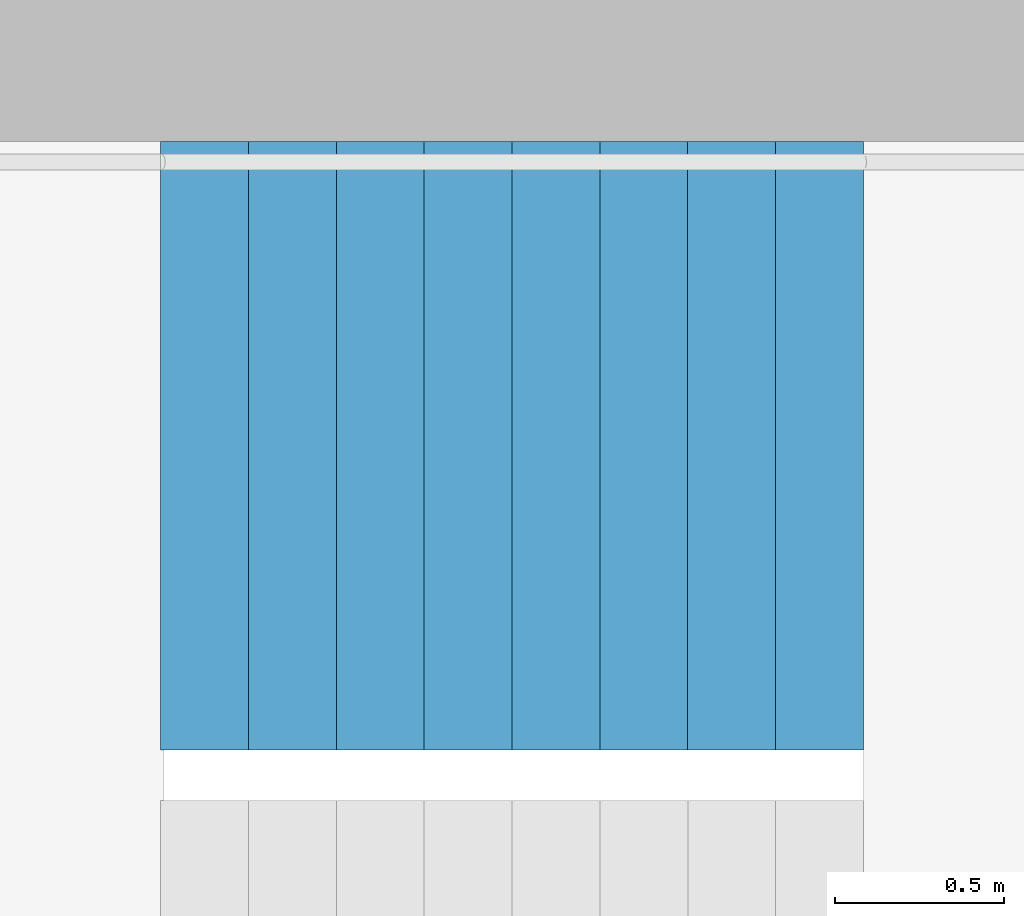
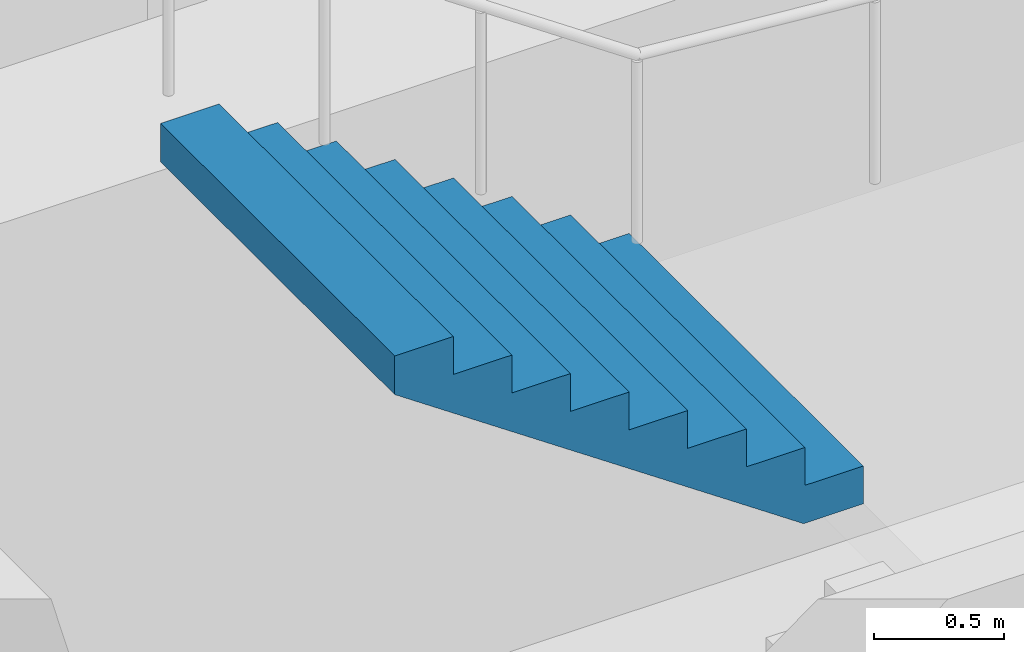
# One storey, part 24 of 29: 1 stair flight, 1 element without a shape of its own.
"""IFC4 building model written with IfcOpenShell, lengths in metres."""

from ifc_helpers import new_model, si_unit, direction, frame, origin, place, context, subcontext, project, spatial, triangles, material, type_object, element, aggregate, save


model = new_model("IFC4")

# Units and contexts
model_context = context("Model", 3, precision=1e-05, world=origin(), true_north=direction((0.0, 1.0)))
body_context = subcontext(model_context, "Body", "Model", "MODEL_VIEW")
ifc_project = project(units=[si_unit("LENGTHUNIT", "METRE"), si_unit("AREAUNIT", "SQUARE_METRE"), si_unit("VOLUMEUNIT", "CUBIC_METRE"), si_unit("PLANEANGLEUNIT", "RADIAN"), si_unit("MASSUNIT", "GRAM", prefix="KILO")], contexts=[model_context])

# Site, building, storey
site_placement = place(None, origin())
site = spatial("IfcSite", under=ifc_project, at=site_placement, CompositionType="ELEMENT")
building_placement = place(site_placement, origin())
building = spatial("IfcBuilding", under=site, at=building_placement, Name="Hakoniwa Tower and Hamabe Station Hall", CompositionType="ELEMENT")
storey_placement = place(building_placement, frame((0.0, 0.0, 97.800048828125)))
storey = spatial("IfcBuildingStorey", under=building, at=storey_placement, Name="L27", CompositionType="ELEMENT", Elevation=97.800048828125)

# Stair, stair flight
ifc_material_1 = material(Name="Concrete C40", Category="concrete")
stair_type = type_object("IfcStairType", Name="ESCAPE STAIR 1800", PredefinedType="HALF_TURN_STAIR", material=ifc_material_1)
stair_placement = place(storey_placement, origin())
stair = element("IfcStair", 1, at=stair_placement, inside=storey, type_object=stair_type, Name="Escape stair ST-1 L27", PredefinedType="HALF_TURN_STAIR")
ifc_material_2 = material(Name="Concrete C40", Category="concrete")
stair_flight_type = type_object("IfcStairFlightType", Name="STAIR FLIGHT 1800", PredefinedType="STRAIGHT", material=ifc_material_2)
stair_flight_placement = place(storey_placement, frame((-22.320068359375, 6.60009765625, 1.599853515625), z_axis=(0.0, 0.0, 1.0), x_axis=(-1.0, 0.0, 0.0)))
stair_flight = element("IfcStairFlight", 2, at=stair_flight_placement, type_object=stair_flight_type, Name="ST-1 flight 2", NumberOfRisers=9, NumberOfTreads=8, PredefinedType="STRAIGHT", RiserHeight=0.177777778, TreadLength=0.26, context=body_context, shape_type="Tessellation", body=[
    triangles([(0.0, 0.89990234375, 0.0), (0.260009765625, 0.89990234375, 0.0), (0.265625, 0.89990234375, 0.0), (0.52001953125, 0.89990234375, 0.174072265625), (0.780029296875, 0.89990234375, 0.351806640625), (1.0400390625, 0.89990234375, 0.529541015625), (1.300048828125, 0.89990234375, 0.707275390625), (1.56005859375, 0.89990234375, 0.885009765625), (1.820068359375, 0.89990234375, 1.062744140625), (2.080078125, 0.89990234375, 1.24072265625), (2.080078125, 0.89990234375, 1.422119140625), (1.820068359375, 0.89990234375, 1.422119140625), (1.820068359375, 0.89990234375, 1.244384765625), (1.56005859375, 0.89990234375, 1.244384765625), (1.56005859375, 0.89990234375, 1.066650390625), (1.300048828125, 0.89990234375, 1.066650390625), (1.300048828125, 0.89990234375, 0.888916015625), (1.0400390625, 0.89990234375, 0.888916015625), (1.0400390625, 0.89990234375, 0.711181640625), (0.780029296875, 0.89990234375, 0.711181640625), (0.780029296875, 0.89990234375, 0.533447265625), (0.52001953125, 0.89990234375, 0.533447265625), (0.52001953125, 0.89990234375, 0.35546875), (0.265625, 0.89990234375, 0.35546875), (0.260009765625, 0.89990234375, 0.35546875), (0.260009765625, 0.89990234375, 0.177734375), (0.0, 0.89990234375, 0.177734375), (0.0, 0.06005859375, 0.0), (0.260009765625, 0.06005859375, 0.0), (0.265625, 0.06005859375, 0.0), (0.52001953125, 0.06005859375, 0.174072265625), (0.780029296875, 0.06005859375, 0.351806640625), (1.0400390625, 0.06005859375, 0.529541015625), (1.300048828125, 0.06005859375, 0.707275390625), (1.56005859375, 0.06005859375, 0.885009765625), (1.820068359375, 0.06005859375, 1.062744140625), (2.080078125, 0.06005859375, 1.24072265625), (2.080078125, 0.06005859375, 1.422119140625), (1.820068359375, 0.06005859375, 1.422119140625), (1.820068359375, 0.06005859375, 1.244384765625), (1.56005859375, 0.06005859375, 1.244384765625), (1.56005859375, 0.06005859375, 1.066650390625), (1.300048828125, 0.06005859375, 1.066650390625), (1.300048828125, 0.06005859375, 0.888916015625), (1.0400390625, 0.06005859375, 0.888916015625), (1.0400390625, 0.06005859375, 0.711181640625), (0.780029296875, 0.06005859375, 0.711181640625), (0.780029296875, 0.06005859375, 0.533447265625), (0.52001953125, 0.06005859375, 0.533447265625), (0.52001953125, 0.06005859375, 0.35546875), (0.265625, 0.06005859375, 0.35546875), (0.260009765625, 0.06005859375, 0.35546875), (0.260009765625, 0.06005859375, 0.177734375), (0.0, 0.06005859375, 0.177734375), (0.0, 0.04296875, 0.0), (0.260009765625, 0.04296875, 0.0), (0.265625, 0.04296875, 0.0), (0.52001953125, 0.04296875, 0.174072265625), (0.780029296875, 0.04296875, 0.351806640625), (1.0400390625, 0.04296875, 0.529541015625), (1.300048828125, 0.04296875, 0.707275390625), (1.56005859375, 0.04296875, 0.885009765625), (1.820068359375, 0.04296875, 1.062744140625), (2.080078125, 0.04296875, 1.24072265625), (2.080078125, 0.04296875, 1.422119140625), (1.820068359375, 0.04296875, 1.422119140625), (1.820068359375, 0.04296875, 1.244384765625), (1.56005859375, 0.04296875, 1.244384765625), (1.56005859375, 0.04296875, 1.066650390625), (1.300048828125, 0.04296875, 1.066650390625), (1.300048828125, 0.04296875, 0.888916015625), (1.0400390625, 0.04296875, 0.888916015625), (1.0400390625, 0.04296875, 0.711181640625), (0.780029296875, 0.04296875, 0.711181640625), (0.780029296875, 0.04296875, 0.533447265625), (0.52001953125, 0.04296875, 0.533447265625), (0.52001953125, 0.04296875, 0.35546875), (0.265625, 0.04296875, 0.35546875), (0.260009765625, 0.04296875, 0.35546875), (0.260009765625, 0.04296875, 0.177734375), (0.0, 0.04296875, 0.177734375), (0.0, 0.025634765625, 0.0), (0.260009765625, 0.025634765625, 0.0), (0.265625, 0.025634765625, 0.0), (0.52001953125, 0.025634765625, 0.174072265625), (0.780029296875, 0.025634765625, 0.351806640625), (1.0400390625, 0.025634765625, 0.529541015625), (1.300048828125, 0.025634765625, 0.707275390625), (1.56005859375, 0.025634765625, 0.885009765625), (1.820068359375, 0.025634765625, 1.062744140625), (2.080078125, 0.025634765625, 1.24072265625), (2.080078125, 0.025634765625, 1.422119140625), (1.820068359375, 0.025634765625, 1.422119140625), (1.820068359375, 0.025634765625, 1.244384765625), (1.56005859375, 0.025634765625, 1.244384765625), (1.56005859375, 0.025634765625, 1.066650390625), (1.300048828125, 0.025634765625, 1.066650390625), (1.300048828125, 0.025634765625, 0.888916015625), (1.0400390625, 0.025634765625, 0.888916015625), (1.0400390625, 0.025634765625, 0.711181640625), (0.780029296875, 0.025634765625, 0.711181640625), (0.780029296875, 0.025634765625, 0.533447265625), (0.52001953125, 0.025634765625, 0.533447265625), (0.52001953125, 0.025634765625, 0.35546875), (0.265625, 0.025634765625, 0.35546875), (0.260009765625, 0.025634765625, 0.35546875), (0.260009765625, 0.025634765625, 0.177734375), (0.0, 0.025634765625, 0.177734375), (0.0, 0.008544921875, 0.0), (0.260009765625, 0.008544921875, 0.0), (0.265625, 0.008544921875, 0.0), (0.52001953125, 0.008544921875, 0.174072265625), (0.780029296875, 0.008544921875, 0.351806640625), (1.0400390625, 0.008544921875, 0.529541015625), (1.300048828125, 0.008544921875, 0.707275390625), (1.56005859375, 0.008544921875, 0.885009765625), (1.820068359375, 0.008544921875, 1.062744140625), (2.080078125, 0.008544921875, 1.24072265625), (2.080078125, 0.008544921875, 1.422119140625), (1.820068359375, 0.008544921875, 1.422119140625), (1.820068359375, 0.008544921875, 1.244384765625), (1.56005859375, 0.008544921875, 1.244384765625), (1.56005859375, 0.008544921875, 1.066650390625), (1.300048828125, 0.008544921875, 1.066650390625), (1.300048828125, 0.008544921875, 0.888916015625), (1.0400390625, 0.008544921875, 0.888916015625), (1.0400390625, 0.008544921875, 0.711181640625), (0.780029296875, 0.008544921875, 0.711181640625), (0.780029296875, 0.008544921875, 0.533447265625), (0.52001953125, 0.008544921875, 0.533447265625), (0.52001953125, 0.008544921875, 0.35546875), (0.265625, 0.008544921875, 0.35546875), (0.260009765625, 0.008544921875, 0.35546875), (0.260009765625, 0.008544921875, 0.177734375), (0.0, 0.008544921875, 0.177734375), (0.0, -0.008544921875, 0.0), (0.260009765625, -0.008544921875, 0.0), (0.265625, -0.008544921875, 0.0), (0.52001953125, -0.008544921875, 0.174072265625), (0.780029296875, -0.008544921875, 0.351806640625), (1.0400390625, -0.008544921875, 0.529541015625), (1.300048828125, -0.008544921875, 0.707275390625), (1.56005859375, -0.008544921875, 0.885009765625), (1.820068359375, -0.008544921875, 1.062744140625), (2.080078125, -0.008544921875, 1.24072265625), (2.080078125, -0.008544921875, 1.422119140625), (1.820068359375, -0.008544921875, 1.422119140625), (1.820068359375, -0.008544921875, 1.244384765625), (1.56005859375, -0.008544921875, 1.244384765625), (1.56005859375, -0.008544921875, 1.066650390625), (1.300048828125, -0.008544921875, 1.066650390625), (1.300048828125, -0.008544921875, 0.888916015625), (1.0400390625, -0.008544921875, 0.888916015625), (1.0400390625, -0.008544921875, 0.711181640625), (0.780029296875, -0.008544921875, 0.711181640625), (0.780029296875, -0.008544921875, 0.533447265625), (0.52001953125, -0.008544921875, 0.533447265625), (0.52001953125, -0.008544921875, 0.35546875), (0.265625, -0.008544921875, 0.35546875), (0.260009765625, -0.008544921875, 0.35546875), (0.260009765625, -0.008544921875, 0.177734375), (0.0, -0.008544921875, 0.177734375), (0.0, -0.025634765625, 0.0), (0.260009765625, -0.025634765625, 0.0), (0.265625, -0.025634765625, 0.0), (0.52001953125, -0.025634765625, 0.174072265625), (0.780029296875, -0.025634765625, 0.351806640625), (1.0400390625, -0.025634765625, 0.529541015625), (1.300048828125, -0.025634765625, 0.707275390625), (1.56005859375, -0.025634765625, 0.885009765625), (1.820068359375, -0.025634765625, 1.062744140625), (2.080078125, -0.025634765625, 1.24072265625), (2.080078125, -0.025634765625, 1.422119140625), (1.820068359375, -0.025634765625, 1.422119140625), (1.820068359375, -0.025634765625, 1.244384765625), (1.56005859375, -0.025634765625, 1.244384765625), (1.56005859375, -0.025634765625, 1.066650390625), (1.300048828125, -0.025634765625, 1.066650390625), (1.300048828125, -0.025634765625, 0.888916015625), (1.0400390625, -0.025634765625, 0.888916015625), (1.0400390625, -0.025634765625, 0.711181640625), (0.780029296875, -0.025634765625, 0.711181640625), (0.780029296875, -0.025634765625, 0.533447265625), (0.52001953125, -0.025634765625, 0.533447265625), (0.52001953125, -0.025634765625, 0.35546875), (0.265625, -0.025634765625, 0.35546875), (0.260009765625, -0.025634765625, 0.35546875), (0.260009765625, -0.025634765625, 0.177734375), (0.0, -0.025634765625, 0.177734375), (0.0, -0.04296875, 0.0), (0.260009765625, -0.04296875, 0.0), (0.265625, -0.04296875, 0.0), (0.52001953125, -0.04296875, 0.174072265625), (0.780029296875, -0.04296875, 0.351806640625), (1.0400390625, -0.04296875, 0.529541015625), (1.300048828125, -0.04296875, 0.707275390625), (1.56005859375, -0.04296875, 0.885009765625), (1.820068359375, -0.04296875, 1.062744140625), (2.080078125, -0.04296875, 1.24072265625), (2.080078125, -0.04296875, 1.422119140625), (1.820068359375, -0.04296875, 1.422119140625), (1.820068359375, -0.04296875, 1.244384765625), (1.56005859375, -0.04296875, 1.244384765625), (1.56005859375, -0.04296875, 1.066650390625), (1.300048828125, -0.04296875, 1.066650390625), (1.300048828125, -0.04296875, 0.888916015625), (1.0400390625, -0.04296875, 0.888916015625), (1.0400390625, -0.04296875, 0.711181640625), (0.780029296875, -0.04296875, 0.711181640625), (0.780029296875, -0.04296875, 0.533447265625), (0.52001953125, -0.04296875, 0.533447265625), (0.52001953125, -0.04296875, 0.35546875), (0.265625, -0.04296875, 0.35546875), (0.260009765625, -0.04296875, 0.35546875), (0.260009765625, -0.04296875, 0.177734375), (0.0, -0.04296875, 0.177734375), (0.0, -0.06005859375, 0.0), (0.260009765625, -0.06005859375, 0.0), (0.265625, -0.06005859375, 0.0), (0.52001953125, -0.06005859375, 0.174072265625), (0.780029296875, -0.06005859375, 0.351806640625), (1.0400390625, -0.06005859375, 0.529541015625), (1.300048828125, -0.06005859375, 0.707275390625), (1.56005859375, -0.06005859375, 0.885009765625), (1.820068359375, -0.06005859375, 1.062744140625), (2.080078125, -0.06005859375, 1.24072265625), (2.080078125, -0.06005859375, 1.422119140625), (1.820068359375, -0.06005859375, 1.422119140625), (1.820068359375, -0.06005859375, 1.244384765625), (1.56005859375, -0.06005859375, 1.244384765625), (1.56005859375, -0.06005859375, 1.066650390625), (1.300048828125, -0.06005859375, 1.066650390625), (1.300048828125, -0.06005859375, 0.888916015625), (1.0400390625, -0.06005859375, 0.888916015625), (1.0400390625, -0.06005859375, 0.711181640625), (0.780029296875, -0.06005859375, 0.711181640625), (0.780029296875, -0.06005859375, 0.533447265625), (0.52001953125, -0.06005859375, 0.533447265625), (0.52001953125, -0.06005859375, 0.35546875), (0.265625, -0.06005859375, 0.35546875), (0.260009765625, -0.06005859375, 0.35546875), (0.260009765625, -0.06005859375, 0.177734375), (0.0, -0.06005859375, 0.177734375), (0.0, -0.89990234375, 0.0), (0.260009765625, -0.89990234375, 0.0), (0.265625, -0.89990234375, 0.0), (0.52001953125, -0.89990234375, 0.174072265625), (0.780029296875, -0.89990234375, 0.351806640625), (1.0400390625, -0.89990234375, 0.529541015625), (1.300048828125, -0.89990234375, 0.707275390625), (1.56005859375, -0.89990234375, 0.885009765625), (1.820068359375, -0.89990234375, 1.062744140625), (2.080078125, -0.89990234375, 1.24072265625), (2.080078125, -0.89990234375, 1.422119140625), (1.820068359375, -0.89990234375, 1.422119140625), (1.820068359375, -0.89990234375, 1.244384765625), (1.56005859375, -0.89990234375, 1.244384765625), (1.56005859375, -0.89990234375, 1.066650390625), (1.300048828125, -0.89990234375, 1.066650390625), (1.300048828125, -0.89990234375, 0.888916015625), (1.0400390625, -0.89990234375, 0.888916015625), (1.0400390625, -0.89990234375, 0.711181640625), (0.780029296875, -0.89990234375, 0.711181640625), (0.780029296875, -0.89990234375, 0.533447265625), (0.52001953125, -0.89990234375, 0.533447265625), (0.52001953125, -0.89990234375, 0.35546875), (0.265625, -0.89990234375, 0.35546875), (0.260009765625, -0.89990234375, 0.35546875), (0.260009765625, -0.89990234375, 0.177734375), (0.0, -0.89990234375, 0.177734375)], [[2, 27, 26], [245, 269, 270], [2, 1, 27], [245, 270, 244], [3, 25, 24], [246, 267, 268], [3, 26, 25], [246, 268, 269], [3, 2, 26], [246, 269, 245], [4, 24, 23], [247, 266, 267], [4, 3, 24], [247, 267, 246], [5, 22, 21], [248, 264, 265], [5, 23, 22], [248, 265, 266], [5, 4, 23], [248, 266, 247], [6, 20, 19], [249, 262, 263], [6, 21, 20], [249, 263, 264], [6, 5, 21], [249, 264, 248], [7, 18, 17], [250, 260, 261], [7, 19, 18], [250, 261, 262], [7, 6, 19], [250, 262, 249], [8, 16, 15], [251, 258, 259], [8, 17, 16], [251, 259, 260], [8, 7, 17], [251, 260, 250], [9, 14, 13], [252, 256, 257], [9, 15, 14], [252, 257, 258], [9, 8, 15], [252, 258, 251], [10, 12, 11], [253, 254, 255], [10, 13, 12], [253, 255, 256], [10, 9, 13], [253, 256, 252], [1, 2, 29], [1, 29, 28], [28, 29, 56], [28, 56, 55], [55, 56, 83], [55, 83, 82], [82, 83, 110], [82, 110, 109], [109, 110, 137], [109, 137, 136], [136, 137, 164], [136, 164, 163], [163, 164, 191], [163, 191, 190], [190, 191, 218], [190, 218, 217], [217, 218, 245], [217, 245, 244], [2, 3, 30], [2, 30, 29], [29, 30, 57], [29, 57, 56], [56, 57, 84], [56, 84, 83], [83, 84, 111], [83, 111, 110], [110, 111, 138], [110, 138, 137], [137, 138, 165], [137, 165, 164], [164, 165, 192], [164, 192, 191], [191, 192, 219], [191, 219, 218], [218, 219, 246], [218, 246, 245], [3, 4, 31], [3, 31, 30], [30, 31, 58], [30, 58, 57], [57, 58, 85], [57, 85, 84], [84, 85, 112], [84, 112, 111], [111, 112, 139], [111, 139, 138], [138, 139, 166], [138, 166, 165], [165, 166, 193], [165, 193, 192], [192, 193, 220], [192, 220, 219], [219, 220, 247], [219, 247, 246], [4, 5, 32], [4, 32, 31], [31, 32, 59], [31, 59, 58], [58, 59, 86], [58, 86, 85], [85, 86, 113], [85, 113, 112], [112, 113, 140], [112, 140, 139], [139, 140, 167], [139, 167, 166], [166, 167, 194], [166, 194, 193], [193, 194, 221], [193, 221, 220], [220, 221, 248], [220, 248, 247], [5, 6, 33], [5, 33, 32], [32, 33, 60], [32, 60, 59], [59, 60, 87], [59, 87, 86], [86, 87, 114], [86, 114, 113], [113, 114, 141], [113, 141, 140], [140, 141, 168], [140, 168, 167], [167, 168, 195], [167, 195, 194], [194, 195, 222], [194, 222, 221], [221, 222, 249], [221, 249, 248], [6, 7, 34], [6, 34, 33], [33, 34, 61], [33, 61, 60], [60, 61, 88], [60, 88, 87], [87, 88, 115], [87, 115, 114], [114, 115, 142], [114, 142, 141], [141, 142, 169], [141, 169, 168], [168, 169, 196], [168, 196, 195], [195, 196, 223], [195, 223, 222], [222, 223, 250], [222, 250, 249], [7, 8, 35], [7, 35, 34], [34, 35, 62], [34, 62, 61], [61, 62, 89], [61, 89, 88], [88, 89, 116], [88, 116, 115], [115, 116, 143], [115, 143, 142], [142, 143, 170], [142, 170, 169], [169, 170, 197], [169, 197, 196], [196, 197, 224], [196, 224, 223], [223, 224, 251], [223, 251, 250], [8, 9, 36], [8, 36, 35], [35, 36, 63], [35, 63, 62], [62, 63, 90], [62, 90, 89], [89, 90, 117], [89, 117, 116], [116, 117, 144], [116, 144, 143], [143, 144, 171], [143, 171, 170], [170, 171, 198], [170, 198, 197], [197, 198, 225], [197, 225, 224], [224, 225, 252], [224, 252, 251], [9, 10, 37], [9, 37, 36], [36, 37, 64], [36, 64, 63], [63, 64, 91], [63, 91, 90], [90, 91, 118], [90, 118, 117], [117, 118, 145], [117, 145, 144], [144, 145, 172], [144, 172, 171], [171, 172, 199], [171, 199, 198], [198, 199, 226], [198, 226, 225], [225, 226, 253], [225, 253, 252], [10, 11, 38], [10, 38, 37], [37, 38, 65], [37, 65, 64], [64, 65, 92], [64, 92, 91], [91, 92, 119], [91, 119, 118], [118, 119, 146], [118, 146, 145], [145, 146, 173], [145, 173, 172], [172, 173, 200], [172, 200, 199], [199, 200, 227], [199, 227, 226], [226, 227, 254], [226, 254, 253], [11, 12, 39], [11, 39, 38], [38, 39, 66], [38, 66, 65], [65, 66, 93], [65, 93, 92], [92, 93, 120], [92, 120, 119], [119, 120, 147], [119, 147, 146], [146, 147, 174], [146, 174, 173], [173, 174, 201], [173, 201, 200], [200, 201, 228], [200, 228, 227], [227, 228, 255], [227, 255, 254], [12, 13, 40], [12, 40, 39], [39, 40, 67], [39, 67, 66], [66, 67, 94], [66, 94, 93], [93, 94, 121], [93, 121, 120], [120, 121, 148], [120, 148, 147], [147, 148, 175], [147, 175, 174], [174, 175, 202], [174, 202, 201], [201, 202, 229], [201, 229, 228], [228, 229, 256], [228, 256, 255], [13, 14, 41], [13, 41, 40], [40, 41, 68], [40, 68, 67], [67, 68, 95], [67, 95, 94], [94, 95, 122], [94, 122, 121], [121, 122, 149], [121, 149, 148], [148, 149, 176], [148, 176, 175], [175, 176, 203], [175, 203, 202], [202, 203, 230], [202, 230, 229], [229, 230, 257], [229, 257, 256], [14, 15, 42], [14, 42, 41], [41, 42, 69], [41, 69, 68], [68, 69, 96], [68, 96, 95], [95, 96, 123], [95, 123, 122], [122, 123, 150], [122, 150, 149], [149, 150, 177], [149, 177, 176], [176, 177, 204], [176, 204, 203], [203, 204, 231], [203, 231, 230], [230, 231, 258], [230, 258, 257], [15, 16, 43], [15, 43, 42], [42, 43, 70], [42, 70, 69], [69, 70, 97], [69, 97, 96], [96, 97, 124], [96, 124, 123], [123, 124, 151], [123, 151, 150], [150, 151, 178], [150, 178, 177], [177, 178, 205], [177, 205, 204], [204, 205, 232], [204, 232, 231], [231, 232, 259], [231, 259, 258], [16, 17, 44], [16, 44, 43], [43, 44, 71], [43, 71, 70], [70, 71, 98], [70, 98, 97], [97, 98, 125], [97, 125, 124], [124, 125, 152], [124, 152, 151], [151, 152, 179], [151, 179, 178], [178, 179, 206], [178, 206, 205], [205, 206, 233], [205, 233, 232], [232, 233, 260], [232, 260, 259], [17, 18, 45], [17, 45, 44], [44, 45, 72], [44, 72, 71], [71, 72, 99], [71, 99, 98], [98, 99, 126], [98, 126, 125], [125, 126, 153], [125, 153, 152], [152, 153, 180], [152, 180, 179], [179, 180, 207], [179, 207, 206], [206, 207, 234], [206, 234, 233], [233, 234, 261], [233, 261, 260], [18, 19, 46], [18, 46, 45], [45, 46, 73], [45, 73, 72], [72, 73, 100], [72, 100, 99], [99, 100, 127], [99, 127, 126], [126, 127, 154], [126, 154, 153], [153, 154, 181], [153, 181, 180], [180, 181, 208], [180, 208, 207], [207, 208, 235], [207, 235, 234], [234, 235, 262], [234, 262, 261], [19, 20, 47], [19, 47, 46], [46, 47, 74], [46, 74, 73], [73, 74, 101], [73, 101, 100], [100, 101, 128], [100, 128, 127], [127, 128, 155], [127, 155, 154], [154, 155, 182], [154, 182, 181], [181, 182, 209], [181, 209, 208], [208, 209, 236], [208, 236, 235], [235, 236, 263], [235, 263, 262], [20, 21, 48], [20, 48, 47], [47, 48, 75], [47, 75, 74], [74, 75, 102], [74, 102, 101], [101, 102, 129], [101, 129, 128], [128, 129, 156], [128, 156, 155], [155, 156, 183], [155, 183, 182], [182, 183, 210], [182, 210, 209], [209, 210, 237], [209, 237, 236], [236, 237, 264], [236, 264, 263], [21, 22, 49], [21, 49, 48], [48, 49, 76], [48, 76, 75], [75, 76, 103], [75, 103, 102], [102, 103, 130], [102, 130, 129], [129, 130, 157], [129, 157, 156], [156, 157, 184], [156, 184, 183], [183, 184, 211], [183, 211, 210], [210, 211, 238], [210, 238, 237], [237, 238, 265], [237, 265, 264], [22, 23, 50], [22, 50, 49], [49, 50, 77], [49, 77, 76], [76, 77, 104], [76, 104, 103], [103, 104, 131], [103, 131, 130], [130, 131, 158], [130, 158, 157], [157, 158, 185], [157, 185, 184], [184, 185, 212], [184, 212, 211], [211, 212, 239], [211, 239, 238], [238, 239, 266], [238, 266, 265], [23, 24, 51], [23, 51, 50], [50, 51, 78], [50, 78, 77], [77, 78, 105], [77, 105, 104], [104, 105, 132], [104, 132, 131], [131, 132, 159], [131, 159, 158], [158, 159, 186], [158, 186, 185], [185, 186, 213], [185, 213, 212], [212, 213, 240], [212, 240, 239], [239, 240, 267], [239, 267, 266], [24, 25, 52], [24, 52, 51], [51, 52, 79], [51, 79, 78], [78, 79, 106], [78, 106, 105], [105, 106, 133], [105, 133, 132], [132, 133, 160], [132, 160, 159], [159, 160, 187], [159, 187, 186], [186, 187, 214], [186, 214, 213], [213, 214, 241], [213, 241, 240], [240, 241, 268], [240, 268, 267], [25, 26, 53], [25, 53, 52], [52, 53, 80], [52, 80, 79], [79, 80, 107], [79, 107, 106], [106, 107, 134], [106, 134, 133], [133, 134, 161], [133, 161, 160], [160, 161, 188], [160, 188, 187], [187, 188, 215], [187, 215, 214], [214, 215, 242], [214, 242, 241], [241, 242, 269], [241, 269, 268], [26, 27, 54], [26, 54, 53], [53, 54, 81], [53, 81, 80], [80, 81, 108], [80, 108, 107], [107, 108, 135], [107, 135, 134], [134, 135, 162], [134, 162, 161], [161, 162, 189], [161, 189, 188], [188, 189, 216], [188, 216, 215], [215, 216, 243], [215, 243, 242], [242, 243, 270], [242, 270, 269], [27, 1, 28], [27, 28, 54], [54, 28, 55], [54, 55, 81], [81, 55, 82], [81, 82, 108], [108, 82, 109], [108, 109, 135], [135, 109, 136], [135, 136, 162], [162, 136, 163], [162, 163, 189], [189, 163, 190], [189, 190, 216], [216, 190, 217], [216, 217, 243], [243, 217, 244], [243, 244, 270]], closed=True),
])
aggregate(stair, [stair_flight])

save(model, "model.ifc")
